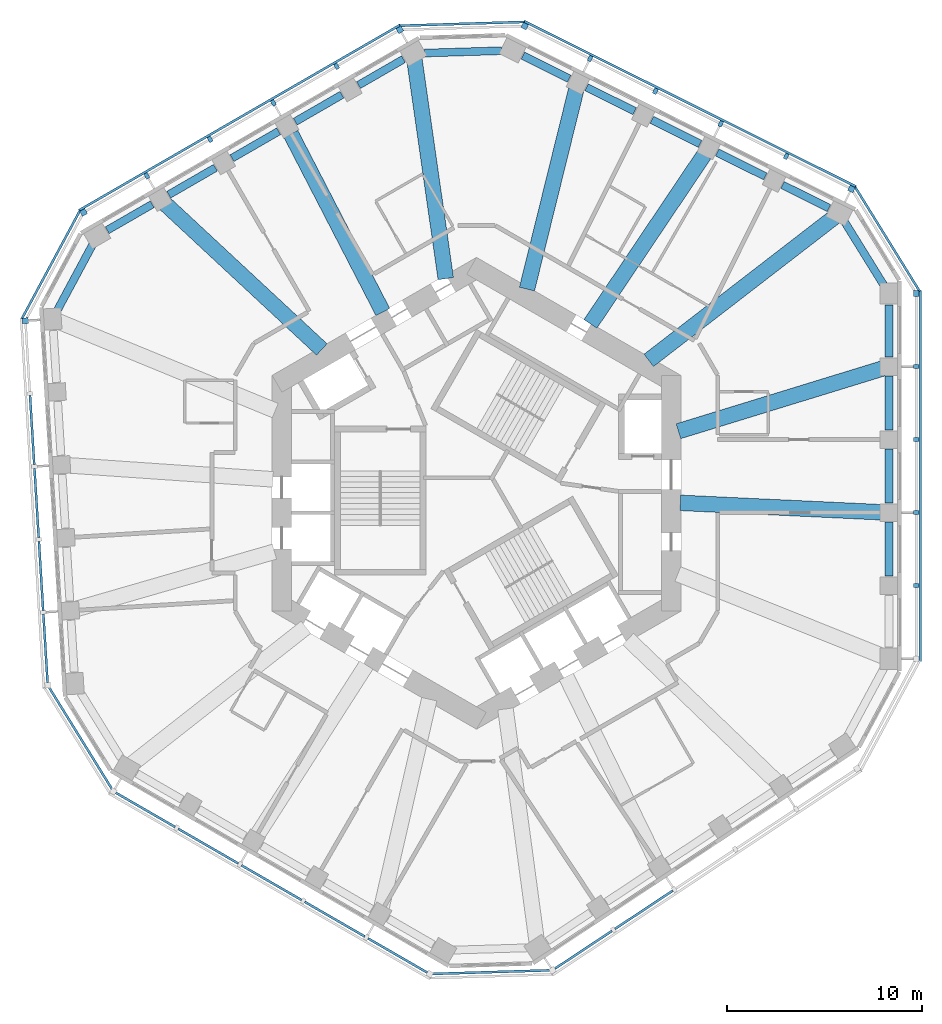
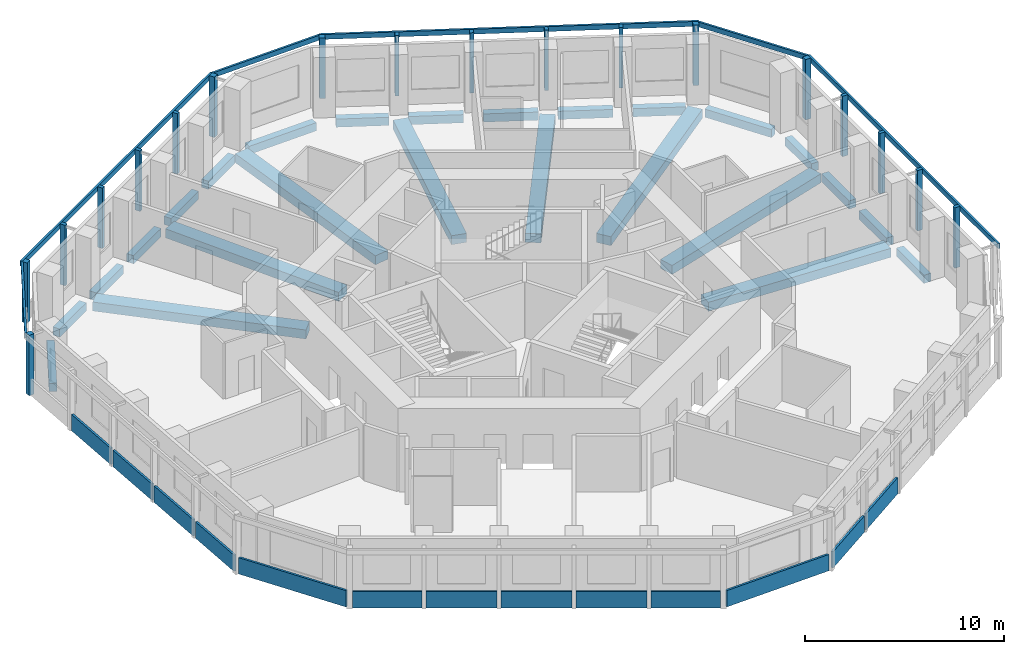
# One storey, part 2 of 11: 25 beams, 24 members, 13 plates, 11 elements without a shape of their own.
"""IFC4 building model written with IfcOpenShell, lengths in metres."""

from ifc_helpers import new_model, si_unit, direction, frame, origin, origin_2d, place, context, subcontext, project, spatial, rectangle, extrude, material, layer, layer_set, material_profile, profile_set, type_object, element, aggregate, save


model = new_model("IFC4")

# Units and contexts
model_context = context("Model", 3, precision=1e-05, world=origin(), true_north=direction((0.0, 1.0)))
body_context = subcontext(model_context, "Body", "Model", "MODEL_VIEW")
ifc_project = project(units=[si_unit("LENGTHUNIT", "METRE"), si_unit("AREAUNIT", "SQUARE_METRE"), si_unit("VOLUMEUNIT", "CUBIC_METRE"), si_unit("PLANEANGLEUNIT", "RADIAN"), si_unit("MASSUNIT", "GRAM", prefix="KILO")], contexts=[model_context])

# Site, building, storey
site_placement = place(None, origin())
site = spatial("IfcSite", under=ifc_project, at=site_placement, CompositionType="ELEMENT")
building_placement = place(site_placement, origin())
building = spatial("IfcBuilding", under=site, at=building_placement, Name="Vanh Sen Convention Tower", CompositionType="ELEMENT")
storey_placement = place(building_placement, frame((0.0, 0.0, 179.89990234375)))
storey = spatial("IfcBuildingStorey", under=building, at=storey_placement, Name="L44", CompositionType="ELEMENT", Elevation=179.89990234375)

# Curtain wall, member
ifc_material_1 = material(Name="Concrete C50/60", Category="concrete")
curtain_wall_type = type_object("IfcCurtainWallType", Name="Outer skin office zone", PredefinedType="NOTDEFINED", material=ifc_material_1)
curtain_wall_1_placement = place(storey_placement, origin())
curtain_wall_1 = element("IfcCurtainWall", 1, at=curtain_wall_1_placement, inside=storey, type_object=curtain_wall_type, Name="OUTER SKIN E L44", PredefinedType="NOTDEFINED")
ifc_material_profile_1 = material_profile(ifc_material_1, rectangle(XDim=0.300048828125, YDim=0.300048828125, at=origin_2d()), Name="Outer skin precast corner fin 300 x 300")
ifc_profile_set_1 = profile_set([ifc_material_profile_1], Name="Concrete C50/60")
member_type_1 = type_object("IfcMemberType", Name="Outer skin precast corner fin 300 x 300", PredefinedType="MULLION", material=ifc_profile_set_1)
member_1_placement = place(storey_placement, frame((22.60009765625, 10.26953125, 0.0), z_axis=(0.0, 0.0, 1.0), x_axis=(0.0, 1.0, 0.0)))
member_1 = element("IfcMember", 2, at=member_1_placement, type_object=member_type_1, Name="OUTER SKIN CORNER FIN 6 E L44", PredefinedType="MULLION", context=body_context, shape_type="SweptSolid", body=[
    extrude(rectangle(XDim=0.300048828125, YDim=0.300048828125, at=origin_2d()), origin(), (0.0, 0.0, 1.0), 3.7001953125),
])

# Curtain wall, members
curtain_wall_2_placement = place(storey_placement, origin())
curtain_wall_2 = element("IfcCurtainWall", 3, at=curtain_wall_2_placement, inside=storey, type_object=curtain_wall_type, Name="OUTER SKIN NE L44", PredefinedType="NOTDEFINED")
member_2_placement = place(storey_placement, frame((19.274658203125, 15.643310546875, 0.0), z_axis=(0.0, 0.0, 1.0), x_axis=(-0.894934361602, 0.44619781311, 0.0)))
member_2 = element("IfcMember", 4, at=member_2_placement, type_object=member_type_1, Name="OUTER SKIN CORNER FIN 1 NE L44", PredefinedType="MULLION", context=body_context, shape_type="SweptSolid", body=[
    extrude(rectangle(XDim=0.300048828125, YDim=0.300048828125, at=origin_2d()), origin(), (0.0, 0.0, 1.0), 3.7001953125),
])
member_3_placement = place(storey_placement, frame((2.476318359375, 24.0185546875, 0.0), z_axis=(0.0, 0.0, 1.0), x_axis=(-0.894934361602, 0.44619781311, 0.0)))
member_3 = element("IfcMember", 5, at=member_3_placement, type_object=member_type_1, Name="OUTER SKIN CORNER FIN 6 NE L44", PredefinedType="MULLION", context=body_context, shape_type="SweptSolid", body=[
    extrude(rectangle(XDim=0.300048828125, YDim=0.300048828125, at=origin_2d()), origin(), (0.0, 0.0, 1.0), 3.7001953125),
])

curtain_wall_3_placement = place(storey_placement, origin())
curtain_wall_3 = element("IfcCurtainWall", 6, at=curtain_wall_3_placement, inside=storey, type_object=curtain_wall_type, Name="OUTER SKIN NW L44", PredefinedType="NOTDEFINED")
member_4_placement = place(storey_placement, frame((-3.93798828125, 23.822509765625, 0.0), z_axis=(0.0, 0.0, 1.0), x_axis=(-0.866025403784, -0.5, 0.0)))
member_4 = element("IfcMember", 7, at=member_4_placement, type_object=member_type_1, Name="OUTER SKIN CORNER FIN 1 NW L44", PredefinedType="MULLION", context=body_context, shape_type="SweptSolid", body=[
    extrude(rectangle(XDim=0.300048828125, YDim=0.300048828125, at=origin_2d()), origin(), (0.0, 0.0, 1.0), 3.7001953125),
])
member_5_placement = place(storey_placement, frame((-20.193603515625, 14.4375, 0.0), z_axis=(0.0, 0.0, 1.0), x_axis=(-0.866025403784, -0.5, 0.0)))
member_5 = element("IfcMember", 8, at=member_5_placement, type_object=member_type_1, Name="OUTER SKIN CORNER FIN 6 NW L44", PredefinedType="MULLION", context=body_context, shape_type="SweptSolid", body=[
    extrude(rectangle(XDim=0.300048828125, YDim=0.300048828125, at=origin_2d()), origin(), (0.0, 0.0, 1.0), 3.7001953125),
])

# Curtain wall, member
curtain_wall_4_placement = place(storey_placement, origin())
curtain_wall_4 = element("IfcCurtainWall", 9, at=curtain_wall_4_placement, inside=storey, type_object=curtain_wall_type, Name="OUTER SKIN W L44", PredefinedType="NOTDEFINED")
member_6_placement = place(storey_placement, frame((-23.184814453125, 8.87060546875, 0.0), z_axis=(0.0, 0.0, 1.0), x_axis=(0.061048539535, -0.998134798422, 0.0)))
member_6 = element("IfcMember", 10, at=member_6_placement, type_object=member_type_1, Name="OUTER SKIN CORNER FIN 1 W L44", PredefinedType="MULLION", context=body_context, shape_type="SweptSolid", body=[
    extrude(rectangle(XDim=0.300048828125, YDim=0.300048828125, at=origin_2d()), origin(), (0.0, 0.0, 1.0), 3.7001953125),
])

# Member
ifc_material_profile_2 = material_profile(ifc_material_1, rectangle(XDim=0.199951171875, YDim=0.300048828125, at=origin_2d()), Name="Outer skin precast fin 200 x 300")
ifc_profile_set_2 = profile_set([ifc_material_profile_2], Name="Concrete C50/60")
member_type_2 = type_object("IfcMemberType", Name="Outer skin precast fin 200 x 300", PredefinedType="MULLION", material=ifc_profile_set_2)
member_7_placement = place(storey_placement, frame((22.60009765625, -4.746826171875, 0.0), z_axis=(0.0, 0.0, 1.0), x_axis=(0.0, 1.0, 0.0)))
member_7 = element("IfcMember", 11, at=member_7_placement, type_object=member_type_2, Name="OUTER SKIN fin 2 E L44", PredefinedType="MULLION", context=body_context, shape_type="SweptSolid", body=[
    extrude(rectangle(XDim=0.199951171875, YDim=0.300048828125, at=origin_2d()), origin(), (0.0, 0.0, 1.0), 3.7001953125),
])

member_8_placement = place(storey_placement, frame((22.60009765625, -0.992919921875, 0.0), z_axis=(0.0, 0.0, 1.0), x_axis=(0.0, 1.0, 0.0)))
member_8 = element("IfcMember", 12, at=member_8_placement, type_object=member_type_2, Name="OUTER SKIN fin 3 E L44", PredefinedType="MULLION", context=body_context, shape_type="SweptSolid", body=[
    extrude(rectangle(XDim=0.199951171875, YDim=0.300048828125, at=origin_2d()), origin(), (0.0, 0.0, 1.0), 3.7001953125),
])

member_9_placement = place(storey_placement, frame((22.60009765625, 2.76123046875, 0.0), z_axis=(0.0, 0.0, 1.0), x_axis=(0.0, 1.0, 0.0)))
member_9 = element("IfcMember", 13, at=member_9_placement, type_object=member_type_2, Name="OUTER SKIN fin 4 E L44", PredefinedType="MULLION", context=body_context, shape_type="SweptSolid", body=[
    extrude(rectangle(XDim=0.199951171875, YDim=0.300048828125, at=origin_2d()), origin(), (0.0, 0.0, 1.0), 3.7001953125),
])

member_10_placement = place(storey_placement, frame((22.60009765625, 6.515380859375, 0.0), z_axis=(0.0, 0.0, 1.0), x_axis=(0.0, 1.0, 0.0)))
member_10 = element("IfcMember", 14, at=member_10_placement, type_object=member_type_2, Name="OUTER SKIN fin 5 E L44", PredefinedType="MULLION", context=body_context, shape_type="SweptSolid", body=[
    extrude(rectangle(XDim=0.199951171875, YDim=0.300048828125, at=origin_2d()), origin(), (0.0, 0.0, 1.0), 3.7001953125),
])

member_11_placement = place(storey_placement, frame((15.9150390625, 17.318359375, 0.0), z_axis=(0.0, 0.0, 1.0), x_axis=(-0.894934361602, 0.44619781311, 0.0)))
member_11 = element("IfcMember", 15, at=member_11_placement, type_object=member_type_2, Name="OUTER SKIN fin 2 NE L44", PredefinedType="MULLION", context=body_context, shape_type="SweptSolid", body=[
    extrude(rectangle(XDim=0.199951171875, YDim=0.300048828125, at=origin_2d()), origin(), (0.0, 0.0, 1.0), 3.7001953125),
])

member_12_placement = place(storey_placement, frame((12.555419921875, 18.993408203125, 0.0), z_axis=(0.0, 0.0, 1.0), x_axis=(-0.894934361602, 0.44619781311, 0.0)))
member_12 = element("IfcMember", 16, at=member_12_placement, type_object=member_type_2, Name="OUTER SKIN fin 3 NE L44", PredefinedType="MULLION", context=body_context, shape_type="SweptSolid", body=[
    extrude(rectangle(XDim=0.199951171875, YDim=0.300048828125, at=origin_2d()), origin(), (0.0, 0.0, 1.0), 3.7001953125),
])

member_13_placement = place(storey_placement, frame((9.195556640625, 20.66845703125, 0.0), z_axis=(0.0, 0.0, 1.0), x_axis=(-0.894934361602, 0.44619781311, 0.0)))
member_13 = element("IfcMember", 17, at=member_13_placement, type_object=member_type_2, Name="OUTER SKIN fin 4 NE L44", PredefinedType="MULLION", context=body_context, shape_type="SweptSolid", body=[
    extrude(rectangle(XDim=0.199951171875, YDim=0.300048828125, at=origin_2d()), origin(), (0.0, 0.0, 1.0), 3.7001953125),
])

member_14_placement = place(storey_placement, frame((5.8359375, 22.343505859375, 0.0), z_axis=(0.0, 0.0, 1.0), x_axis=(-0.894934361602, 0.44619781311, 0.0)))
member_14 = element("IfcMember", 18, at=member_14_placement, type_object=member_type_2, Name="OUTER SKIN fin 5 NE L44", PredefinedType="MULLION", context=body_context, shape_type="SweptSolid", body=[
    extrude(rectangle(XDim=0.199951171875, YDim=0.300048828125, at=origin_2d()), origin(), (0.0, 0.0, 1.0), 3.7001953125),
])

member_15_placement = place(storey_placement, frame((-7.189208984375, 21.945556640625, 0.0), z_axis=(0.0, 0.0, 1.0), x_axis=(-0.866025403784, -0.5, 0.0)))
member_15 = element("IfcMember", 19, at=member_15_placement, type_object=member_type_2, Name="OUTER SKIN fin 2 NW L44", PredefinedType="MULLION", context=body_context, shape_type="SweptSolid", body=[
    extrude(rectangle(XDim=0.199951171875, YDim=0.300048828125, at=origin_2d()), origin(), (0.0, 0.0, 1.0), 3.7001953125),
])

member_16_placement = place(storey_placement, frame((-10.440185546875, 20.068603515625, 0.0), z_axis=(0.0, 0.0, 1.0), x_axis=(-0.866025403784, -0.5, 0.0)))
member_16 = element("IfcMember", 20, at=member_16_placement, type_object=member_type_2, Name="OUTER SKIN fin 3 NW L44", PredefinedType="MULLION", context=body_context, shape_type="SweptSolid", body=[
    extrude(rectangle(XDim=0.199951171875, YDim=0.300048828125, at=origin_2d()), origin(), (0.0, 0.0, 1.0), 3.7001953125),
])

member_17_placement = place(storey_placement, frame((-13.69140625, 18.19140625, 0.0), z_axis=(0.0, 0.0, 1.0), x_axis=(-0.866025403784, -0.5, 0.0)))
member_17 = element("IfcMember", 21, at=member_17_placement, type_object=member_type_2, Name="OUTER SKIN fin 4 NW L44", PredefinedType="MULLION", context=body_context, shape_type="SweptSolid", body=[
    extrude(rectangle(XDim=0.199951171875, YDim=0.300048828125, at=origin_2d()), origin(), (0.0, 0.0, 1.0), 3.7001953125),
])

member_18_placement = place(storey_placement, frame((-16.9423828125, 16.314453125, 0.0), z_axis=(0.0, 0.0, 1.0), x_axis=(-0.866025403784, -0.5, 0.0)))
member_18 = element("IfcMember", 22, at=member_18_placement, type_object=member_type_2, Name="OUTER SKIN fin 5 NW L44", PredefinedType="MULLION", context=body_context, shape_type="SweptSolid", body=[
    extrude(rectangle(XDim=0.199951171875, YDim=0.300048828125, at=origin_2d()), origin(), (0.0, 0.0, 1.0), 3.7001953125),
])

ifc_material_profile_3 = material_profile(ifc_material_1, rectangle(XDim=0.1201171875, YDim=0.300048828125, at=origin_2d()), Name="Outer skin precast spandrel band 300 x 120")
ifc_profile_set_3 = profile_set([ifc_material_profile_3], Name="Concrete C50/60")
member_type_3 = type_object("IfcMemberType", Name="Outer skin precast spandrel band 300 x 120", PredefinedType="USERDEFINED", material=ifc_profile_set_3)
member_19_placement = place(storey_placement, frame((22.81005859375, -8.65087890625, 3.550048828125), z_axis=(0.0, 1.0, 0.0), x_axis=(-1.0, 0.0, 0.0)))
member_19 = element("IfcMember", 23, at=member_19_placement, type_object=member_type_3, Name="OUTER SKIN spandrel band E L44", ObjectType="TRANSOM", PredefinedType="USERDEFINED", context=body_context, shape_type="SweptSolid", body=[
    extrude(rectangle(XDim=0.1201171875, YDim=0.300048828125, at=origin_2d()), origin(), (0.0, 0.0, 1.0), 19.0703125),
])

aggregate(curtain_wall_1, [member_7, member_8, member_9, member_10, member_1, member_19])

# Curtain wall, member
curtain_wall_5_placement = place(storey_placement, origin())
curtain_wall_5 = element("IfcCurtainWall", 24, at=curtain_wall_5_placement, inside=storey, type_object=curtain_wall_type, Name="OUTER SKIN CH1 L44", PredefinedType="NOTDEFINED")
member_20_placement = place(storey_placement, frame((22.778564453125, 10.3798828125, 3.550048828125), z_axis=(-0.526173726926, 0.850377098171, 0.0), x_axis=(-0.850377098171, -0.526173726926, 0.0)))
member_20 = element("IfcMember", 25, at=member_20_placement, type_object=member_type_3, Name="OUTER SKIN spandrel band CH1 L44", ObjectType="TRANSOM", PredefinedType="USERDEFINED", context=body_context, shape_type="SweptSolid", body=[
    extrude(rectangle(XDim=0.1201171875, YDim=0.300048828125, at=origin_2d()), origin(), (0.0, 0.0, 1.0), 6.319580078125),
])
aggregate(curtain_wall_5, [member_20])

# Member
member_21_placement = place(storey_placement, frame((19.502685546875, 15.764404296875, 3.550048828125), z_axis=(-0.894941234474, 0.446184027996, 0.0), x_axis=(-0.446184027996, -0.894941234474, 0.0)))
member_21 = element("IfcMember", 26, at=member_21_placement, type_object=member_type_3, Name="OUTER SKIN spandrel band NE L44", ObjectType="TRANSOM", PredefinedType="USERDEFINED", context=body_context, shape_type="SweptSolid", body=[
    extrude(rectangle(XDim=0.1201171875, YDim=0.300048828125, at=origin_2d()), origin(), (0.0, 0.0, 1.0), 19.07080078125),
])

aggregate(curtain_wall_2, [member_2, member_11, member_12, member_13, member_14, member_3, member_21])

# Curtain wall, member
curtain_wall_6_placement = place(storey_placement, origin())
curtain_wall_6 = element("IfcCurtainWall", 27, at=curtain_wall_6_placement, inside=storey, type_object=curtain_wall_type, Name="OUTER SKIN CH2 L44", PredefinedType="NOTDEFINED")
member_22_placement = place(storey_placement, frame((2.4697265625, 24.228515625, 3.550048828125), z_axis=(-0.999533221695, -0.030550592913, 0.0), x_axis=(0.030550592913, -0.999533221695, 0.0)))
member_22 = element("IfcMember", 28, at=member_22_placement, type_object=member_type_3, Name="OUTER SKIN spandrel band CH2 L44", ObjectType="TRANSOM", PredefinedType="USERDEFINED", context=body_context, shape_type="SweptSolid", body=[
    extrude(rectangle(XDim=0.1201171875, YDim=0.300048828125, at=origin_2d()), origin(), (0.0, 0.0, 1.0), 6.4169921875),
])
aggregate(curtain_wall_6, [member_22])

# Member
member_23_placement = place(storey_placement, frame((-3.9130859375, 24.07958984375, 3.550048828125), z_axis=(-0.866023136587, -0.500003926881, 0.0), x_axis=(0.500003926881, -0.866023136587, 0.0)))
member_23 = element("IfcMember", 29, at=member_23_placement, type_object=member_type_3, Name="OUTER SKIN spandrel band NW L44", ObjectType="TRANSOM", PredefinedType="USERDEFINED", context=body_context, shape_type="SweptSolid", body=[
    extrude(rectangle(XDim=0.1201171875, YDim=0.300048828125, at=origin_2d()), origin(), (0.0, 0.0, 1.0), 19.070556640625),
])

aggregate(curtain_wall_3, [member_4, member_15, member_16, member_17, member_18, member_5, member_23])

# Curtain wall, member
curtain_wall_7_placement = place(storey_placement, origin())
curtain_wall_7 = element("IfcCurtainWall", 30, at=curtain_wall_7_placement, inside=storey, type_object=curtain_wall_type, Name="OUTER SKIN CH3 L44", PredefinedType="NOTDEFINED")
member_24_placement = place(storey_placement, frame((-20.378662109375, 14.536865234375, 3.550048828125), z_axis=(-0.47333707755, -0.880881383057, 0.0), x_axis=(0.880881383057, -0.47333707755, 0.0)))
member_24 = element("IfcMember", 31, at=member_24_placement, type_object=member_type_3, Name="OUTER SKIN spandrel band CH3 L44", ObjectType="TRANSOM", PredefinedType="USERDEFINED", context=body_context, shape_type="SweptSolid", body=[
    extrude(rectangle(XDim=0.1201171875, YDim=0.300048828125, at=origin_2d()), origin(), (0.0, 0.0, 1.0), 6.3193359375),
])
aggregate(curtain_wall_7, [member_24])

# Beams
ifc_material_2 = material(Name="Concrete C50/60", Category="concrete")
ifc_material_profile_4 = material_profile(ifc_material_2, rectangle(XDim=0.800048828125, YDim=0.550048828125, at=origin_2d()), Name="RC 800X550")
ifc_profile_set_4 = profile_set([ifc_material_profile_4], Name="Concrete C50/60")
beam_type_1 = type_object("IfcBeamType", Name="Radial floor beam 800 x 550", PredefinedType="BEAM", material=ifc_profile_set_4)
beam_1_placement = place(storey_placement, frame((20.773681640625, -0.972900390625, -0.554931640625), z_axis=(-0.998904385593, 0.046797739721, 0.0), x_axis=(-0.046797739721, -0.998904385593, 0.0)))
element("IfcBeam", 32, at=beam_1_placement, inside=storey, type_object=beam_type_1, Name="Radial beam 02 L44", PredefinedType="BEAM", context=body_context, shape_type="SweptSolid", body=[
    extrude(rectangle(XDim=0.800048828125, YDim=0.550048828125, at=origin_2d()), origin(), (0.0, 0.0, 1.0), 10.30859375),
])
beam_2_placement = place(storey_placement, frame((20.872314453125, 6.414794921875, -0.554931640625), z_axis=(-0.955875597503, -0.293771751701, 0.0), x_axis=(0.293771751701, -0.955875597503, 0.0)))
element("IfcBeam", 33, at=beam_2_placement, inside=storey, type_object=beam_type_1, Name="Radial beam 03 L44", PredefinedType="BEAM", context=body_context, shape_type="SweptSolid", body=[
    extrude(rectangle(XDim=0.800048828125, YDim=0.550048828125, at=origin_2d()), origin(), (0.0, 0.0, 1.0), 10.97900390625),
])
beam_3_placement = place(storey_placement, frame((18.41162109375, 14.206298828125, -0.554931640625), z_axis=(-0.791722449679, -0.610880972591, 0.0), x_axis=(0.610880972591, -0.791722449679, 0.0)))
element("IfcBeam", 34, at=beam_3_placement, inside=storey, type_object=beam_type_1, Name="Radial beam 04 L44", PredefinedType="BEAM", context=body_context, shape_type="SweptSolid", body=[
    extrude(rectangle(XDim=0.800048828125, YDim=0.550048828125, at=origin_2d()), origin(), (0.0, 0.0, 1.0), 12.072021484375),
])
beam_4_placement = place(storey_placement, frame((11.709228515625, 17.411376953125, -0.554931640625), z_axis=(-0.55804705103, -0.829809308719, 0.0), x_axis=(0.829809308719, -0.55804705103, 0.0)))
element("IfcBeam", 35, at=beam_4_placement, inside=storey, type_object=beam_type_1, Name="Radial beam 05 L44", PredefinedType="BEAM", context=body_context, shape_type="SweptSolid", body=[
    extrude(rectangle(XDim=0.800048828125, YDim=0.550048828125, at=origin_2d()), origin(), (0.0, 0.0, 1.0), 10.490234375),
])
beam_5_placement = place(storey_placement, frame((5.123291015625, 20.73486328125, -0.554931640625), z_axis=(-0.239877352486, -0.970803201357, 0.0), x_axis=(0.970803201357, -0.239877352486, 0.0)))
element("IfcBeam", 36, at=beam_5_placement, inside=storey, type_object=beam_type_1, Name="Radial beam 06 L44", PredefinedType="BEAM", context=body_context, shape_type="SweptSolid", body=[
    extrude(rectangle(XDim=0.800048828125, YDim=0.550048828125, at=origin_2d()), origin(), (0.0, 0.0, 1.0), 10.54931640625),
])
beam_6_placement = place(storey_placement, frame((-3.192626953125, 22.2939453125, -0.554931640625), z_axis=(0.141775948022, -0.989898772887, 0.0), x_axis=(0.989898772887, 0.141775948022, 0.0)))
element("IfcBeam", 37, at=beam_6_placement, inside=storey, type_object=beam_type_1, Name="Radial beam 07 L44", PredefinedType="BEAM", context=body_context, shape_type="SweptSolid", body=[
    extrude(rectangle(XDim=0.800048828125, YDim=0.550048828125, at=origin_2d()), origin(), (0.0, 0.0, 1.0), 11.3740234375),
])
beam_7_placement = place(storey_placement, frame((-9.544189453125, 18.476806640625, -0.554931640625), z_axis=(0.458940914306, -0.888466790137, 0.0), x_axis=(0.888466790137, 0.458940914306, 0.0)))
element("IfcBeam", 38, at=beam_7_placement, inside=storey, type_object=beam_type_1, Name="Radial beam 08 L44", PredefinedType="BEAM", context=body_context, shape_type="SweptSolid", body=[
    extrude(rectangle(XDim=0.800048828125, YDim=0.550048828125, at=origin_2d()), origin(), (0.0, 0.0, 1.0), 10.308349609375),
])
beam_8_placement = place(storey_placement, frame((-15.991455078125, 14.86865234375, -0.554931640625), z_axis=(0.732345064139, -0.680933702376, 0.0), x_axis=(0.680933702376, 0.732345064139, 0.0)))
element("IfcBeam", 39, at=beam_8_placement, inside=storey, type_object=beam_type_1, Name="Radial beam 09 L44", PredefinedType="BEAM", context=body_context, shape_type="SweptSolid", body=[
    extrude(rectangle(XDim=0.800048828125, YDim=0.550048828125, at=origin_2d()), origin(), (0.0, 0.0, 1.0), 10.979248046875),
])
ifc_material_profile_5 = material_profile(ifc_material_2, rectangle(XDim=0.39990234375, YDim=0.5, at=origin_2d()), Name="RC 400X500")
ifc_profile_set_5 = profile_set([ifc_material_profile_5], Name="Concrete C50/60")
beam_type_2 = type_object("IfcBeamType", Name="Spandrel beam 400 x 500", PredefinedType="SPANDREL", material=ifc_profile_set_5)
for number, where, z_axis, x_axis, name in (
    (40, (21.199951171875, -4.251953125, -0.52978515625), (0.0, 1.0, 0.0), (-1.0, 0.0, 0.0), "Spandrel beam 02 L44"),
    (41, (21.199951171875, -0.497802734375, -0.52978515625), (0.0, 1.0, 0.0), (-1.0, 0.0, 0.0), "Spandrel beam 03 L44"),
    (42, (21.199951171875, 3.25634765625, -0.52978515625), (0.0, 1.0, 0.0), (-1.0, 0.0, 0.0), "Spandrel beam 04 L44"),
):
    element("IfcBeam", number, at=place(storey_placement, frame(where, z_axis=z_axis, x_axis=x_axis)), inside=storey, type_object=beam_type_2, Name=name, PredefinedType="SPANDREL", context=body_context, shape_type="SweptSolid", body=[
        extrude(rectangle(XDim=0.39990234375, YDim=0.5, at=origin_2d()), origin(), (0.0, 0.0, 1.0), 2.76416015625),
    ])
beam_9_placement = place(storey_placement, frame((21.199951171875, 7.010498046875, -0.52978515625), z_axis=(0.0, 1.0, 0.0), x_axis=(-1.0, 0.0, 0.0)))
element("IfcBeam", 43, at=beam_9_placement, inside=storey, type_object=beam_type_2, Name="Spandrel beam 05 L44", PredefinedType="SPANDREL", context=body_context, shape_type="SweptSolid", body=[
    extrude(rectangle(XDim=0.39990234375, YDim=0.5, at=origin_2d()), origin(), (0.0, 0.0, 1.0), 2.6640625),
])
beam_10_placement = place(storey_placement, frame((20.922607421875, 10.717529296875, -0.52978515625), z_axis=(-0.526168430998, 0.850380375021, 0.0), x_axis=(-0.850380375021, -0.526168430998, 0.0)))
element("IfcBeam", 44, at=beam_10_placement, inside=storey, type_object=beam_type_2, Name="Spandrel beam 06 L44", PredefinedType="SPANDREL", context=body_context, shape_type="SweptSolid", body=[
    extrude(rectangle(XDim=0.39990234375, YDim=0.5, at=origin_2d()), origin(), (0.0, 0.0, 1.0), 3.792236328125),
])
beam_11_placement = place(storey_placement, frame((18.117431640625, 14.656005859375, -0.52978515625), z_axis=(-0.894958126718, 0.446150144482, 0.0), x_axis=(-0.446150144482, -0.894958126718, 0.0)))
element("IfcBeam", 45, at=beam_11_placement, inside=storey, type_object=beam_type_2, Name="Spandrel beam 07 L44", PredefinedType="SPANDREL", context=body_context, shape_type="SweptSolid", body=[
    extrude(rectangle(XDim=0.39990234375, YDim=0.5, at=origin_2d()), origin(), (0.0, 0.0, 1.0), 2.663818359375),
])
beam_12_placement = place(storey_placement, frame((14.847412109375, 16.286376953125, -0.52978515625), z_axis=(-0.894974121341, 0.446118058511, 0.0), x_axis=(-0.446118058511, -0.894974121341, 0.0)))
element("IfcBeam", 46, at=beam_12_placement, inside=storey, type_object=beam_type_2, Name="Spandrel beam 08 L44", PredefinedType="SPANDREL", context=body_context, shape_type="SweptSolid", body=[
    extrude(rectangle(XDim=0.39990234375, YDim=0.5, at=origin_2d()), origin(), (0.0, 0.0, 1.0), 2.76416015625),
])
beam_13_placement = place(storey_placement, frame((11.487548828125, 17.96142578125, -0.52978515625), z_axis=(-0.894956541152, 0.446153325045, 0.0), x_axis=(-0.446153325045, -0.894956541152, 0.0)))
element("IfcBeam", 47, at=beam_13_placement, inside=storey, type_object=beam_type_2, Name="Spandrel beam 09 L44", PredefinedType="SPANDREL", context=body_context, shape_type="SweptSolid", body=[
    extrude(rectangle(XDim=0.39990234375, YDim=0.5, at=origin_2d()), origin(), (0.0, 0.0, 1.0), 2.763916015625),
])
beam_14_placement = place(storey_placement, frame((8.1279296875, 19.636474609375, -0.52978515625), z_axis=(-0.89492127077, 0.446224068292, 0.0), x_axis=(-0.446224068292, -0.89492127077, 0.0)))
element("IfcBeam", 48, at=beam_14_placement, inside=storey, type_object=beam_type_2, Name="Spandrel beam 10 L44", PredefinedType="SPANDREL", context=body_context, shape_type="SweptSolid", body=[
    extrude(rectangle(XDim=0.39990234375, YDim=0.5, at=origin_2d()), origin(), (0.0, 0.0, 1.0), 2.76416015625),
])
beam_15_placement = place(storey_placement, frame((4.768310546875, 21.3115234375, -0.52978515625), z_axis=(-0.894939776695, 0.446186951948, 0.0), x_axis=(-0.446186951948, -0.894939776695, 0.0)))
element("IfcBeam", 49, at=beam_15_placement, inside=storey, type_object=beam_type_2, Name="Spandrel beam 11 L44", PredefinedType="SPANDREL", context=body_context, shape_type="SweptSolid", body=[
    extrude(rectangle(XDim=0.39990234375, YDim=0.5, at=origin_2d()), origin(), (0.0, 0.0, 1.0), 2.6640625),
])
beam_16_placement = place(storey_placement, frame((1.283203125, 22.748291015625, -0.52978515625), z_axis=(-0.999534813524, -0.030498468059, 0.0), x_axis=(0.030498468059, -0.999534813524, 0.0)))
element("IfcBeam", 50, at=beam_16_placement, inside=storey, type_object=beam_type_2, Name="Spandrel beam 12 L44", PredefinedType="SPANDREL", context=body_context, shape_type="SweptSolid", body=[
    extrude(rectangle(XDim=0.39990234375, YDim=0.5, at=origin_2d()), origin(), (0.0, 0.0, 1.0), 3.95458984375),
])
beam_17_placement = place(storey_placement, frame((-3.753173828125, 22.312744140625, -0.52978515625), z_axis=(-0.866023818221, -0.500002746266, 0.0), x_axis=(0.500002746266, -0.866023818221, 0.0)))
element("IfcBeam", 51, at=beam_17_placement, inside=storey, type_object=beam_type_2, Name="Spandrel beam 13 L44", PredefinedType="SPANDREL", context=body_context, shape_type="SweptSolid", body=[
    extrude(rectangle(XDim=0.39990234375, YDim=0.5, at=origin_2d()), origin(), (0.0, 0.0, 1.0), 2.6640625),
])
for number, where, z_axis, x_axis, name in (
    (52, (-6.917724609375, 20.485595703125, -0.52978515625), (-0.866022320763, -0.500005339912, 0.0), (0.500005339912, -0.866022320763, 0.0), "Spandrel beam 14 L44"),
    (53, (-10.1689453125, 18.608642578125, -0.52978515625), (-0.866022320763, -0.500005339912, 0.0), (0.500005339912, -0.866022320763, 0.0), "Spandrel beam 15 L44"),
):
    element("IfcBeam", number, at=place(storey_placement, frame(where, z_axis=z_axis, x_axis=x_axis)), inside=storey, type_object=beam_type_2, Name=name, PredefinedType="SPANDREL", context=body_context, shape_type="SweptSolid", body=[
        extrude(rectangle(XDim=0.39990234375, YDim=0.5, at=origin_2d()), origin(), (0.0, 0.0, 1.0), 2.76416015625),
    ])
beam_18_placement = place(storey_placement, frame((-13.420166015625, 16.731689453125, -0.52978515625), z_axis=(-0.866000236617, -0.500043588279, 0.0), x_axis=(0.500043588279, -0.866000236617, 0.0)))
element("IfcBeam", 54, at=beam_18_placement, inside=storey, type_object=beam_type_2, Name="Spandrel beam 16 L44", PredefinedType="SPANDREL", context=body_context, shape_type="SweptSolid", body=[
    extrude(rectangle(XDim=0.39990234375, YDim=0.5, at=origin_2d()), origin(), (0.0, 0.0, 1.0), 2.763916015625),
])
beam_19_placement = place(storey_placement, frame((-16.671142578125, 14.8544921875, -0.52978515625), z_axis=(-0.866046726429, -0.499963066278, 0.0), x_axis=(0.499963066278, -0.866046726429, 0.0)))
element("IfcBeam", 55, at=beam_19_placement, inside=storey, type_object=beam_type_2, Name="Spandrel beam 17 L44", PredefinedType="SPANDREL", context=body_context, shape_type="SweptSolid", body=[
    extrude(rectangle(XDim=0.39990234375, YDim=0.5, at=origin_2d()), origin(), (0.0, 0.0, 1.0), 2.664306640625),
])
beam_20_placement = place(storey_placement, frame((-19.7431640625, 12.7607421875, -0.52978515625), z_axis=(-0.473339461388, -0.88088010211, 0.0), x_axis=(0.88088010211, -0.473339461388, 0.0)))
element("IfcBeam", 56, at=beam_20_placement, inside=storey, type_object=beam_type_2, Name="Spandrel beam 18 L44", PredefinedType="SPANDREL", context=body_context, shape_type="SweptSolid", body=[
    extrude(rectangle(XDim=0.39990234375, YDim=0.5, at=origin_2d()), origin(), (0.0, 0.0, 1.0), 3.7919921875),
])

# Plate
ifc_layer = layer(ifc_material_1, 0.1201171875)
ifc_layer_set = layer_set([ifc_layer], Name="Concrete C50/60")
plate_type = type_object("IfcPlateType", Name="Outer skin precast screen panel 120", PredefinedType="CURTAIN_PANEL", material=ifc_layer_set)
plate_1_placement = place(storey_placement, frame((-22.841064453125, 3.25, 0.0), z_axis=(0.0, 0.0, 1.0), x_axis=(0.061052023682, -0.998134585316, 0.0)))
plate_1 = element("IfcPlate", 57, at=plate_1_placement, type_object=plate_type, Name="OUTER SKIN screen panel W-2", PredefinedType="CURTAIN_PANEL", context=body_context, shape_type="SweptSolid", body=[
    extrude(rectangle(XDim=3.55419921875, YDim=0.1201171875, at=origin_2d()), origin(), (0.0, 0.0, 1.0), 1.0),
])

plate_2_placement = place(storey_placement, frame((-22.61181640625, -0.4970703125, 0.0), z_axis=(0.0, 0.0, 1.0), x_axis=(0.061053765756, -0.998134478759, 0.0)))
plate_2 = element("IfcPlate", 58, at=plate_2_placement, type_object=plate_type, Name="OUTER SKIN screen panel W-3", PredefinedType="CURTAIN_PANEL", context=body_context, shape_type="SweptSolid", body=[
    extrude(rectangle(XDim=3.55419921875, YDim=0.1201171875, at=origin_2d()), origin(), (0.0, 0.0, 1.0), 1.0),
])

plate_3_placement = place(storey_placement, frame((-22.382568359375, -4.244140625, 0.0), z_axis=(0.0, 0.0, 1.0), x_axis=(0.061025892559, -0.998136183312, 0.0)))
plate_3 = element("IfcPlate", 59, at=plate_3_placement, type_object=plate_type, Name="OUTER SKIN screen panel W-4", PredefinedType="CURTAIN_PANEL", context=body_context, shape_type="SweptSolid", body=[
    extrude(rectangle(XDim=3.55419921875, YDim=0.1201171875, at=origin_2d()), origin(), (0.0, 0.0, 1.0), 1.0),
])

plate_4_placement = place(storey_placement, frame((-22.155029296875, -7.96630859375, 0.0), z_axis=(0.0, 0.0, 1.0), x_axis=(0.061053765756, -0.998134478759, 0.0)))
plate_4 = element("IfcPlate", 60, at=plate_4_placement, type_object=plate_type, Name="OUTER SKIN screen panel W-5", PredefinedType="CURTAIN_PANEL", context=body_context, shape_type="SweptSolid", body=[
    extrude(rectangle(XDim=3.504150390625, YDim=0.1201171875, at=origin_2d()), origin(), (0.0, 0.0, 1.0), 1.0),
])

aggregate(curtain_wall_4, [member_6, plate_1, plate_2, plate_3, plate_4])

# Curtain wall, plate
curtain_wall_8_placement = place(storey_placement, origin())
curtain_wall_8 = element("IfcCurtainWall", 61, at=curtain_wall_8_placement, inside=storey, type_object=curtain_wall_type, Name="OUTER SKIN CH4 L44", PredefinedType="NOTDEFINED")
plate_5_placement = place(storey_placement, frame((-20.3505859375, -12.59326171875, 0.0), z_axis=(0.0, 0.0, 1.0), x_axis=(0.526218376078, -0.850349469734, 0.0)))
plate_5 = element("IfcPlate", 62, at=plate_5_placement, type_object=plate_type, Name="OUTER SKIN screen panel CH4-1", PredefinedType="CURTAIN_PANEL", context=body_context, shape_type="SweptSolid", body=[
    extrude(rectangle(XDim=6.1171875, YDim=0.1201171875, at=origin_2d()), origin(), (0.0, 0.0, 1.0), 1.0),
])
aggregate(curtain_wall_8, [plate_5])

# Curtain wall, plates
curtain_wall_9_placement = place(storey_placement, origin())
curtain_wall_9 = element("IfcCurtainWall", 63, at=curtain_wall_9_placement, inside=storey, type_object=curtain_wall_type, Name="OUTER SKIN SW L44", PredefinedType="NOTDEFINED")
plate_6_placement = place(storey_placement, frame((-17.014892578125, -16.272705078125, 0.0), z_axis=(0.0, 0.0, 1.0), x_axis=(0.86602365845, -0.500003022996, 0.0)))
plate_6 = element("IfcPlate", 64, at=plate_6_placement, type_object=plate_type, Name="OUTER SKIN screen panel SW-1", PredefinedType="CURTAIN_PANEL", context=body_context, shape_type="SweptSolid", body=[
    extrude(rectangle(XDim=3.504150390625, YDim=0.1201171875, at=origin_2d()), origin(), (0.0, 0.0, 1.0), 1.0),
])
plate_7_placement = place(storey_placement, frame((-13.785400390625, -18.13720703125, 0.0), z_axis=(0.0, 0.0, 1.0), x_axis=(0.866028021766, -0.499995465495, 0.0)))
plate_7 = element("IfcPlate", 65, at=plate_7_placement, type_object=plate_type, Name="OUTER SKIN screen panel SW-2", PredefinedType="CURTAIN_PANEL", context=body_context, shape_type="SweptSolid", body=[
    extrude(rectangle(XDim=3.553955078125, YDim=0.1201171875, at=origin_2d()), origin(), (0.0, 0.0, 1.0), 1.0),
])
plate_8_placement = place(storey_placement, frame((-10.5341796875, -20.014404296875, 0.0), z_axis=(0.0, 0.0, 1.0), x_axis=(0.86602365845, -0.500003022996, 0.0)))
plate_8 = element("IfcPlate", 66, at=plate_8_placement, type_object=plate_type, Name="OUTER SKIN screen panel SW-3", PredefinedType="CURTAIN_PANEL", context=body_context, shape_type="SweptSolid", body=[
    extrude(rectangle(XDim=3.55419921875, YDim=0.1201171875, at=origin_2d()), origin(), (0.0, 0.0, 1.0), 1.0),
])
plate_9_placement = place(storey_placement, frame((-7.283203125, -21.891357421875, 0.0), z_axis=(0.0, 0.0, 1.0), x_axis=(0.866016677006, -0.500015114919, 0.0)))
plate_9 = element("IfcPlate", 67, at=plate_9_placement, type_object=plate_type, Name="OUTER SKIN screen panel SW-4", PredefinedType="CURTAIN_PANEL", context=body_context, shape_type="SweptSolid", body=[
    extrude(rectangle(XDim=3.55419921875, YDim=0.1201171875, at=origin_2d()), origin(), (0.0, 0.0, 1.0), 1.0),
])
plate_10_placement = place(storey_placement, frame((-4.0537109375, -23.755859375, 0.0), z_axis=(0.0, 0.0, 1.0), x_axis=(0.866035002936, -0.499983373414, 0.0)))
plate_10 = element("IfcPlate", 68, at=plate_10_placement, type_object=plate_type, Name="OUTER SKIN screen panel SW-5", PredefinedType="CURTAIN_PANEL", context=body_context, shape_type="SweptSolid", body=[
    extrude(rectangle(XDim=3.504150390625, YDim=0.1201171875, at=origin_2d()), origin(), (0.0, 0.0, 1.0), 1.0),
])
aggregate(curtain_wall_9, [plate_6, plate_7, plate_8, plate_9, plate_10])

# Curtain wall, plate
curtain_wall_10_placement = place(storey_placement, origin())
curtain_wall_10 = element("IfcCurtainWall", 69, at=curtain_wall_10_placement, inside=storey, type_object=curtain_wall_type, Name="OUTER SKIN CH5 L44", PredefinedType="NOTDEFINED")
plate_11_placement = place(storey_placement, frame((0.751953125, -24.6103515625, 0.0), z_axis=(0.0, 0.0, 1.0), x_axis=(0.999533537535, 0.030540257725, 0.0)))
plate_11 = element("IfcPlate", 70, at=plate_11_placement, type_object=plate_type, Name="OUTER SKIN screen panel CH5-1", PredefinedType="CURTAIN_PANEL", context=body_context, shape_type="SweptSolid", body=[
    extrude(rectangle(XDim=6.019287109375, YDim=0.1201171875, at=origin_2d()), origin(), (0.0, 0.0, 1.0), 1.0),
])
aggregate(curtain_wall_10, [plate_11])

# Curtain wall, plates
curtain_wall_11_placement = place(storey_placement, origin())
curtain_wall_11 = element("IfcCurtainWall", 71, at=curtain_wall_11_placement, inside=storey, type_object=curtain_wall_type, Name="OUTER SKIN SE L44", PredefinedType="NOTDEFINED")
plate_12_placement = place(storey_placement, frame((5.49609375, -23.464111328125, 0.0), z_axis=(0.0, 0.0, 1.0), x_axis=(0.833889675294, 0.551931163677, 0.0)))
plate_12 = element("IfcPlate", 72, at=plate_12_placement, type_object=plate_type, Name="OUTER SKIN screen panel SE-1", PredefinedType="CURTAIN_PANEL", context=body_context, shape_type="SweptSolid", body=[
    extrude(rectangle(XDim=3.504150390625, YDim=0.1201171875, at=origin_2d()), origin(), (0.0, 0.0, 1.0), 1.0),
])
plate_13_placement = place(storey_placement, frame((8.60595703125, -21.406005859375, 0.0), z_axis=(0.0, 0.0, 1.0), x_axis=(0.833889675294, 0.551931163677, 0.0)))
plate_13 = element("IfcPlate", 73, at=plate_13_placement, type_object=plate_type, Name="OUTER SKIN screen panel SE-2", PredefinedType="CURTAIN_PANEL", context=body_context, shape_type="SweptSolid", body=[
    extrude(rectangle(XDim=3.55419921875, YDim=0.1201171875, at=origin_2d()), origin(), (0.0, 0.0, 1.0), 1.0),
])
aggregate(curtain_wall_11, [plate_12, plate_13])

save(model, "model.ifc")
